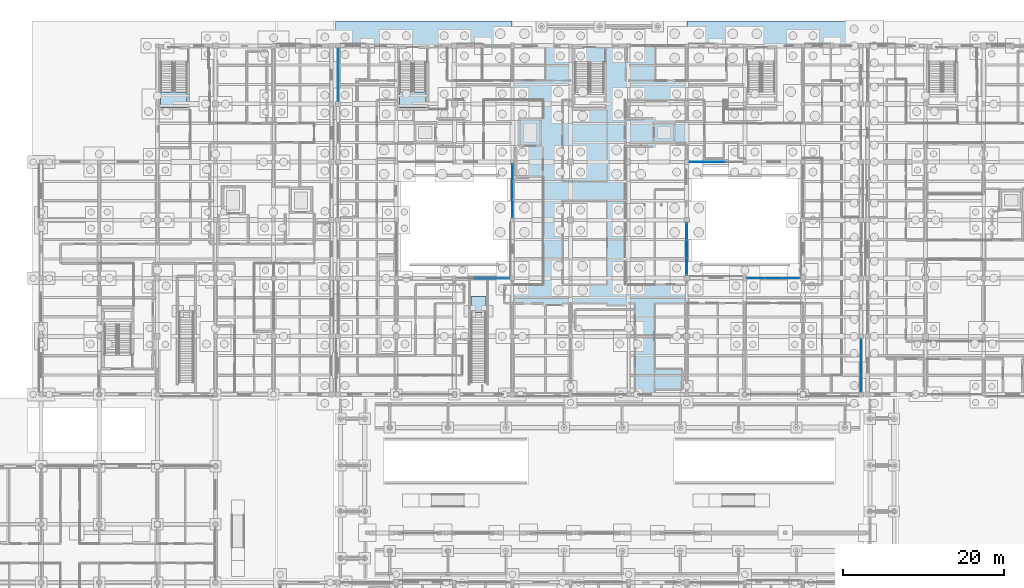
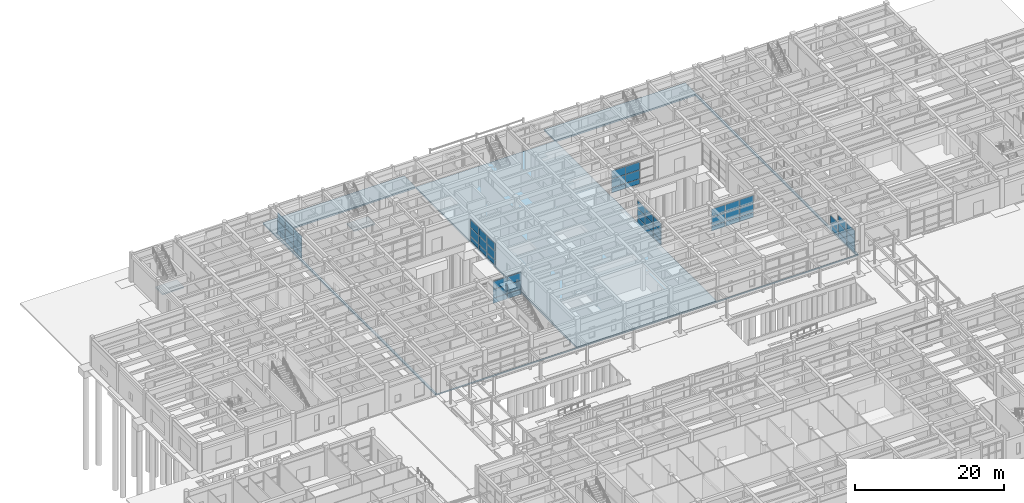
# One storey, part 84 of 143: 56 plates, 5 slabs, 10 elements without a shape of their own.
"""IFC4 building model written with IfcOpenShell, lengths in metres."""

from ifc_helpers import new_model, si_unit, direction, frame, origin, origin_2d, place, context, subcontext, project, spatial, polyline, rectangle, outline, extrude, material, layer, layer_set, type_object, element, aggregate, save


model = new_model("IFC4")

# Units and contexts
model_context = context("Model", 3, precision=1e-05, world=origin(), true_north=direction((0.0, 1.0)))
body_context = subcontext(model_context, "Body", "Model", "MODEL_VIEW")
ifc_project = project(units=[si_unit("LENGTHUNIT", "METRE"), si_unit("AREAUNIT", "SQUARE_METRE"), si_unit("VOLUMEUNIT", "CUBIC_METRE"), si_unit("PLANEANGLEUNIT", "RADIAN"), si_unit("MASSUNIT", "GRAM", prefix="KILO")], contexts=[model_context])

# Site, building, storey
site_placement = place(None, origin())
site = spatial("IfcSite", under=ifc_project, at=site_placement, CompositionType="ELEMENT")
building_placement = place(site_placement, origin())
building = spatial("IfcBuilding", under=site, at=building_placement, Name="Steenspoor Specialist Clinic", CompositionType="ELEMENT")
storey_placement = place(building_placement, origin())
storey = spatial("IfcBuildingStorey", under=building, at=storey_placement, Name="L00", CompositionType="ELEMENT", Elevation=0.0)

# Curtain wall, plates
ifc_material_1 = material(Name="Thermally broken aluminium and low-emissivity glass", Category="aluminium")
curtain_wall_type_1 = type_object("IfcCurtainWallType", Name="CW-L00-480X415", PredefinedType="USERDEFINED", material=ifc_material_1)
curtain_wall_1_placement = place(storey_placement, origin())
curtain_wall_1 = element("IfcCurtainWall", 1, at=curtain_wall_1_placement, inside=storey, type_object=curtain_wall_type_1, Name="Unitised Curtain Wall CW-V4-L00-054", ObjectType="UNITISED GLAZING", PredefinedType="USERDEFINED")
ifc_material_2 = material(Name="Double low-emissivity insulated glass", Category="glass")
ifc_layer_1 = layer(ifc_material_2, 0.035888671875)
ifc_layer_set_1 = layer_set([ifc_layer_1], Name="Double low-emissivity insulated glass")
plate_type_1 = type_object("IfcPlateType", Name="CW-PAN-GL36", PredefinedType="CURTAIN_PANEL", material=ifc_layer_set_1)
plate_1_placement = place(storey_placement, frame((74.0, 88.140869140625, 0.08984375), z_axis=(0.0, 0.0, 1.0), x_axis=(0.0, 1.0, 0.0)))
plate_1 = element("IfcPlate", 2, at=plate_1_placement, type_object=plate_type_1, Name="CW-06 panel 1.1", PredefinedType="CURTAIN_PANEL", context=body_context, shape_type="SweptSolid", body=[
    extrude(rectangle(XDim=2.12158203125, YDim=0.035888671875, at=origin_2d()), origin(), (0.0, 0.0, 1.0), 0.764892578125),
])
plate_2_placement = place(storey_placement, frame((74.0, 88.140869140625, 0.94482421875), z_axis=(0.0, 0.0, 1.0), x_axis=(0.0, 1.0, 0.0)))
plate_2 = element("IfcPlate", 3, at=plate_2_placement, type_object=plate_type_1, Name="CW-06 panel 1.2", PredefinedType="CURTAIN_PANEL", context=body_context, shape_type="SweptSolid", body=[
    extrude(rectangle(XDim=2.12158203125, YDim=0.035888671875, at=origin_2d()), origin(), (0.0, 0.0, 1.0), 1.360107421875),
])
plate_3_placement = place(storey_placement, frame((74.0, 88.140869140625, 2.39501953125), z_axis=(0.0, 0.0, 1.0), x_axis=(0.0, 1.0, 0.0)))
plate_3 = element("IfcPlate", 4, at=plate_3_placement, type_object=plate_type_1, Name="CW-06 panel 1.3", PredefinedType="CURTAIN_PANEL", context=body_context, shape_type="SweptSolid", body=[
    extrude(rectangle(XDim=2.12158203125, YDim=0.035888671875, at=origin_2d()), origin(), (0.0, 0.0, 1.0), 1.2451171875),
])
plate_4_placement = place(storey_placement, frame((74.0, 90.362548828125, 0.08984375), z_axis=(0.0, 0.0, 1.0), x_axis=(0.0, 1.0, 0.0)))
plate_4 = element("IfcPlate", 5, at=plate_4_placement, type_object=plate_type_1, Name="CW-06 panel 2.1", PredefinedType="CURTAIN_PANEL", context=body_context, shape_type="SweptSolid", body=[
    extrude(rectangle(XDim=2.16162109375, YDim=0.035888671875, at=origin_2d()), origin(), (0.0, 0.0, 1.0), 0.764892578125),
])
plate_5_placement = place(storey_placement, frame((74.0, 90.362548828125, 0.94482421875), z_axis=(0.0, 0.0, 1.0), x_axis=(0.0, 1.0, 0.0)))
plate_5 = element("IfcPlate", 6, at=plate_5_placement, type_object=plate_type_1, Name="CW-06 panel 2.2", PredefinedType="CURTAIN_PANEL", context=body_context, shape_type="SweptSolid", body=[
    extrude(rectangle(XDim=2.16162109375, YDim=0.035888671875, at=origin_2d()), origin(), (0.0, 0.0, 1.0), 1.360107421875),
])
plate_6_placement = place(storey_placement, frame((74.0, 90.362548828125, 2.39501953125), z_axis=(0.0, 0.0, 1.0), x_axis=(0.0, 1.0, 0.0)))
plate_6 = element("IfcPlate", 7, at=plate_6_placement, type_object=plate_type_1, Name="CW-06 panel 2.3", PredefinedType="CURTAIN_PANEL", context=body_context, shape_type="SweptSolid", body=[
    extrude(rectangle(XDim=2.16162109375, YDim=0.035888671875, at=origin_2d()), origin(), (0.0, 0.0, 1.0), 1.2451171875),
])
plate_7_placement = place(storey_placement, frame((74.0, 92.584228515625, 0.08984375), z_axis=(0.0, 0.0, 1.0), x_axis=(0.0, 1.0, 0.0)))
plate_7 = element("IfcPlate", 8, at=plate_7_placement, type_object=plate_type_1, Name="CW-06 panel 3.1", PredefinedType="CURTAIN_PANEL", context=body_context, shape_type="SweptSolid", body=[
    extrude(rectangle(XDim=2.12158203125, YDim=0.035888671875, at=origin_2d()), origin(), (0.0, 0.0, 1.0), 0.764892578125),
])
plate_8_placement = place(storey_placement, frame((74.0, 92.584228515625, 0.94482421875), z_axis=(0.0, 0.0, 1.0), x_axis=(0.0, 1.0, 0.0)))
plate_8 = element("IfcPlate", 9, at=plate_8_placement, type_object=plate_type_1, Name="CW-06 panel 3.2", PredefinedType="CURTAIN_PANEL", context=body_context, shape_type="SweptSolid", body=[
    extrude(rectangle(XDim=2.12158203125, YDim=0.035888671875, at=origin_2d()), origin(), (0.0, 0.0, 1.0), 1.360107421875),
])
plate_9_placement = place(storey_placement, frame((74.0, 92.584228515625, 2.39501953125), z_axis=(0.0, 0.0, 1.0), x_axis=(0.0, 1.0, 0.0)))
plate_9 = element("IfcPlate", 10, at=plate_9_placement, type_object=plate_type_1, Name="CW-06 panel 3.3", PredefinedType="CURTAIN_PANEL", context=body_context, shape_type="SweptSolid", body=[
    extrude(rectangle(XDim=2.12158203125, YDim=0.035888671875, at=origin_2d()), origin(), (0.0, 0.0, 1.0), 1.2451171875),
])
aggregate(curtain_wall_1, [plate_1, plate_2, plate_3, plate_4, plate_5, plate_6, plate_7, plate_8, plate_9])

curtain_wall_type_2 = type_object("IfcCurtainWallType", Name="CW-TYP-480X355", PredefinedType="USERDEFINED", material=ifc_material_1)
curtain_wall_2_placement = place(storey_placement, origin())
curtain_wall_2 = element("IfcCurtainWall", 11, at=curtain_wall_2_placement, inside=storey, type_object=curtain_wall_type_2, Name="Unitised Curtain Wall CW-V4-L00-060", ObjectType="UNITISED GLAZING", PredefinedType="USERDEFINED")
plate_10_placement = place(storey_placement, frame((104.174072265625, 79.550048828125, 0.080078125), z_axis=(0.0, 0.0, 1.0), x_axis=(1.0, 0.0, 0.0)))
plate_10 = element("IfcPlate", 12, at=plate_10_placement, type_object=plate_type_1, Name="CW-12 panel 1.1", PredefinedType="CURTAIN_PANEL", context=body_context, shape_type="SweptSolid", body=[
    extrude(rectangle(XDim=2.08837890625, YDim=0.035888671875, at=origin_2d()), origin(), (0.0, 0.0, 1.0), 0.780029296875),
])
plate_11_placement = place(storey_placement, frame((104.174072265625, 79.550048828125, 0.93994140625), z_axis=(0.0, 0.0, 1.0), x_axis=(1.0, 0.0, 0.0)))
plate_11 = element("IfcPlate", 13, at=plate_11_placement, type_object=plate_type_1, Name="CW-12 panel 1.2", PredefinedType="CURTAIN_PANEL", context=body_context, shape_type="SweptSolid", body=[
    extrude(rectangle(XDim=2.08837890625, YDim=0.035888671875, at=origin_2d()), origin(), (0.0, 0.0, 1.0), 1.3701171875),
])
plate_12_placement = place(storey_placement, frame((104.174072265625, 79.550048828125, 2.39013671875), z_axis=(0.0, 0.0, 1.0), x_axis=(1.0, 0.0, 0.0)))
plate_12 = element("IfcPlate", 14, at=plate_12_placement, type_object=plate_type_1, Name="CW-12 panel 1.3", PredefinedType="CURTAIN_PANEL", context=body_context, shape_type="SweptSolid", body=[
    extrude(rectangle(XDim=2.08837890625, YDim=0.035888671875, at=origin_2d()), origin(), (0.0, 0.0, 1.0), 1.260009765625),
])
plate_13_placement = place(storey_placement, frame((106.362548828125, 79.550048828125, 0.080078125), z_axis=(0.0, 0.0, 1.0), x_axis=(1.0, 0.0, 0.0)))
plate_13 = element("IfcPlate", 15, at=plate_13_placement, type_object=plate_type_1, Name="CW-12 panel 2.1", PredefinedType="CURTAIN_PANEL", context=body_context, shape_type="SweptSolid", body=[
    extrude(rectangle(XDim=2.12841796875, YDim=0.035888671875, at=origin_2d()), origin(), (0.0, 0.0, 1.0), 0.780029296875),
])
plate_14_placement = place(storey_placement, frame((106.362548828125, 79.550048828125, 0.93994140625), z_axis=(0.0, 0.0, 1.0), x_axis=(1.0, 0.0, 0.0)))
plate_14 = element("IfcPlate", 16, at=plate_14_placement, type_object=plate_type_1, Name="CW-12 panel 2.2", PredefinedType="CURTAIN_PANEL", context=body_context, shape_type="SweptSolid", body=[
    extrude(rectangle(XDim=2.12841796875, YDim=0.035888671875, at=origin_2d()), origin(), (0.0, 0.0, 1.0), 1.3701171875),
])
plate_15_placement = place(storey_placement, frame((106.362548828125, 79.550048828125, 2.39013671875), z_axis=(0.0, 0.0, 1.0), x_axis=(1.0, 0.0, 0.0)))
plate_15 = element("IfcPlate", 17, at=plate_15_placement, type_object=plate_type_1, Name="CW-12 panel 2.3", PredefinedType="CURTAIN_PANEL", context=body_context, shape_type="SweptSolid", body=[
    extrude(rectangle(XDim=2.12841796875, YDim=0.035888671875, at=origin_2d()), origin(), (0.0, 0.0, 1.0), 1.260009765625),
])
plate_16_placement = place(storey_placement, frame((108.55078125, 79.550048828125, 0.080078125), z_axis=(0.0, 0.0, 1.0), x_axis=(1.0, 0.0, 0.0)))
plate_16 = element("IfcPlate", 18, at=plate_16_placement, type_object=plate_type_1, Name="CW-12 panel 3.1", PredefinedType="CURTAIN_PANEL", context=body_context, shape_type="SweptSolid", body=[
    extrude(rectangle(XDim=2.08837890625, YDim=0.035888671875, at=origin_2d()), origin(), (0.0, 0.0, 1.0), 0.780029296875),
])
plate_17_placement = place(storey_placement, frame((108.55078125, 79.550048828125, 0.93994140625), z_axis=(0.0, 0.0, 1.0), x_axis=(1.0, 0.0, 0.0)))
plate_17 = element("IfcPlate", 19, at=plate_17_placement, type_object=plate_type_1, Name="CW-12 panel 3.2", PredefinedType="CURTAIN_PANEL", context=body_context, shape_type="SweptSolid", body=[
    extrude(rectangle(XDim=2.08837890625, YDim=0.035888671875, at=origin_2d()), origin(), (0.0, 0.0, 1.0), 1.3701171875),
])
plate_18_placement = place(storey_placement, frame((108.55078125, 79.550048828125, 2.39013671875), z_axis=(0.0, 0.0, 1.0), x_axis=(1.0, 0.0, 0.0)))
plate_18 = element("IfcPlate", 20, at=plate_18_placement, type_object=plate_type_1, Name="CW-12 panel 3.3", PredefinedType="CURTAIN_PANEL", context=body_context, shape_type="SweptSolid", body=[
    extrude(rectangle(XDim=2.08837890625, YDim=0.035888671875, at=origin_2d()), origin(), (0.0, 0.0, 1.0), 1.260009765625),
])
aggregate(curtain_wall_2, [plate_10, plate_11, plate_12, plate_13, plate_14, plate_15, plate_16, plate_17, plate_18])

curtain_wall_type_3 = type_object("IfcCurtainWallType", Name="CW-L00-660X415", PredefinedType="USERDEFINED", material=ifc_material_1)
curtain_wall_3_placement = place(storey_placement, origin())
curtain_wall_3 = element("IfcCurtainWall", 21, at=curtain_wall_3_placement, inside=storey, type_object=curtain_wall_type_3, Name="Unitised Curtain Wall CW-V4-L00-052", ObjectType="UNITISED GLAZING", PredefinedType="USERDEFINED")
ifc_material_3 = material(Name="Triple acoustic laminated low-emissivity glass", Category="glass")
ifc_layer_2 = layer(ifc_material_3, 0.048095703125)
ifc_layer_set_2 = layer_set([ifc_layer_2], Name="Triple acoustic laminated low-emissivity glass")
plate_type_2 = type_object("IfcPlateType", Name="CW-PAN-GL48", PredefinedType="CURTAIN_PANEL", material=ifc_layer_set_2)
plate_19_placement = place(storey_placement, frame((117.199951171875, 70.93505859375, 0.06494140625), z_axis=(0.0, 0.0, 1.0), x_axis=(0.0, -1.0, 0.0)))
plate_19 = element("IfcPlate", 22, at=plate_19_placement, type_object=plate_type_2, Name="CW-04 panel 1.1", PredefinedType="CURTAIN_PANEL", context=body_context, shape_type="SweptSolid", body=[
    extrude(rectangle(XDim=2.110107421875, YDim=0.048095703125, at=origin_2d()), origin(), (0.0, 0.0, 1.0), 0.802490234375),
])
plate_20_placement = place(storey_placement, frame((117.199951171875, 70.93505859375, 0.9326171875), z_axis=(0.0, 0.0, 1.0), x_axis=(0.0, -1.0, 0.0)))
plate_20 = element("IfcPlate", 23, at=plate_20_placement, type_object=plate_type_2, Name="CW-04 panel 1.2", PredefinedType="CURTAIN_PANEL", context=body_context, shape_type="SweptSolid", body=[
    extrude(rectangle(XDim=2.110107421875, YDim=0.048095703125, at=origin_2d()), origin(), (0.0, 0.0, 1.0), 1.385009765625),
])
plate_21_placement = place(storey_placement, frame((117.199951171875, 68.75, 0.06494140625), z_axis=(0.0, 0.0, 1.0), x_axis=(0.0, -1.0, 0.0)))
plate_21 = element("IfcPlate", 24, at=plate_21_placement, type_object=plate_type_2, Name="CW-04 panel 2.1", PredefinedType="CURTAIN_PANEL", context=body_context, shape_type="SweptSolid", body=[
    extrude(rectangle(XDim=2.139892578125, YDim=0.048095703125, at=origin_2d()), origin(), (0.0, 0.0, 1.0), 0.802490234375),
])
plate_22_placement = place(storey_placement, frame((117.199951171875, 68.75, 0.9326171875), z_axis=(0.0, 0.0, 1.0), x_axis=(0.0, -1.0, 0.0)))
plate_22 = element("IfcPlate", 25, at=plate_22_placement, type_object=plate_type_2, Name="CW-04 panel 2.2", PredefinedType="CURTAIN_PANEL", context=body_context, shape_type="SweptSolid", body=[
    extrude(rectangle(XDim=2.139892578125, YDim=0.048095703125, at=origin_2d()), origin(), (0.0, 0.0, 1.0), 1.385009765625),
])
plate_23_placement = place(storey_placement, frame((117.199951171875, 68.75, 2.38232421875), z_axis=(0.0, 0.0, 1.0), x_axis=(0.0, -1.0, 0.0)))
plate_23 = element("IfcPlate", 26, at=plate_23_placement, type_object=plate_type_2, Name="CW-04 panel 2.3", PredefinedType="CURTAIN_PANEL", context=body_context, shape_type="SweptSolid", body=[
    extrude(rectangle(XDim=2.139892578125, YDim=0.048095703125, at=origin_2d()), origin(), (0.0, 0.0, 1.0), 1.282470703125),
])
plate_24_placement = place(storey_placement, frame((117.199951171875, 66.56494140625, 0.06494140625), z_axis=(0.0, 0.0, 1.0), x_axis=(0.0, -1.0, 0.0)))
plate_24 = element("IfcPlate", 27, at=plate_24_placement, type_object=plate_type_2, Name="CW-04 panel 3.1", PredefinedType="CURTAIN_PANEL", context=body_context, shape_type="SweptSolid", body=[
    extrude(rectangle(XDim=2.110107421875, YDim=0.048095703125, at=origin_2d()), origin(), (0.0, 0.0, 1.0), 0.802490234375),
])
plate_25_placement = place(storey_placement, frame((117.199951171875, 66.56494140625, 0.9326171875), z_axis=(0.0, 0.0, 1.0), x_axis=(0.0, -1.0, 0.0)))
plate_25 = element("IfcPlate", 28, at=plate_25_placement, type_object=plate_type_2, Name="CW-04 panel 3.2", PredefinedType="CURTAIN_PANEL", context=body_context, shape_type="SweptSolid", body=[
    extrude(rectangle(XDim=2.110107421875, YDim=0.048095703125, at=origin_2d()), origin(), (0.0, 0.0, 1.0), 1.385009765625),
])
plate_26_placement = place(storey_placement, frame((117.199951171875, 66.56494140625, 2.38232421875), z_axis=(0.0, 0.0, 1.0), x_axis=(0.0, -1.0, 0.0)))
plate_26 = element("IfcPlate", 29, at=plate_26_placement, type_object=plate_type_2, Name="CW-04 panel 3.3", PredefinedType="CURTAIN_PANEL", context=body_context, shape_type="SweptSolid", body=[
    extrude(rectangle(XDim=2.110107421875, YDim=0.048095703125, at=origin_2d()), origin(), (0.0, 0.0, 1.0), 1.282470703125),
])
aggregate(curtain_wall_3, [plate_19, plate_20, plate_21, plate_22, plate_23, plate_24, plate_25, plate_26])

curtain_wall_type_4 = type_object("IfcCurtainWallType", Name="CW-TYP-650X355", PredefinedType="USERDEFINED", material=ifc_material_1)
curtain_wall_4_placement = place(storey_placement, origin())
curtain_wall_4 = element("IfcCurtainWall", 30, at=curtain_wall_4_placement, inside=storey, type_object=curtain_wall_type_4, Name="Unitised Curtain Wall CW-V4-L00-058", ObjectType="UNITISED GLAZING", PredefinedType="USERDEFINED")
plate_27_placement = place(storey_placement, frame((99.237548828125, 93.949951171875, 0.06005859375), z_axis=(0.0, 0.0, 1.0), x_axis=(-1.0, 0.0, 0.0)))
plate_27 = element("IfcPlate", 31, at=plate_27_placement, type_object=plate_type_2, Name="CW-10 panel 2.1", PredefinedType="CURTAIN_PANEL", context=body_context, shape_type="SweptSolid", body=[
    extrude(rectangle(XDim=2.1650390625, YDim=0.048095703125, at=origin_2d()), origin(), (0.0, 0.0, 1.0), 0.81005859375),
])
plate_28_placement = place(storey_placement, frame((99.237548828125, 93.949951171875, 0.93017578125), z_axis=(0.0, 0.0, 1.0), x_axis=(-1.0, 0.0, 0.0)))
plate_28 = element("IfcPlate", 32, at=plate_28_placement, type_object=plate_type_2, Name="CW-10 panel 2.2", PredefinedType="CURTAIN_PANEL", context=body_context, shape_type="SweptSolid", body=[
    extrude(rectangle(XDim=2.1650390625, YDim=0.048095703125, at=origin_2d()), origin(), (0.0, 0.0, 1.0), 1.389892578125),
])
plate_29_placement = place(storey_placement, frame((99.237548828125, 93.949951171875, 2.3798828125), z_axis=(0.0, 0.0, 1.0), x_axis=(-1.0, 0.0, 0.0)))
plate_29 = element("IfcPlate", 33, at=plate_29_placement, type_object=plate_type_2, Name="CW-10 panel 2.3", PredefinedType="CURTAIN_PANEL", context=body_context, shape_type="SweptSolid", body=[
    extrude(rectangle(XDim=2.1650390625, YDim=0.048095703125, at=origin_2d()), origin(), (0.0, 0.0, 1.0), 1.2900390625),
])
plate_30_placement = place(storey_placement, frame((97.027587890625, 93.949951171875, 0.06005859375), z_axis=(0.0, 0.0, 1.0), x_axis=(-1.0, 0.0, 0.0)))
plate_30 = element("IfcPlate", 34, at=plate_30_placement, type_object=plate_type_2, Name="CW-10 panel 3.1", PredefinedType="CURTAIN_PANEL", context=body_context, shape_type="SweptSolid", body=[
    extrude(rectangle(XDim=2.135009765625, YDim=0.048095703125, at=origin_2d()), origin(), (0.0, 0.0, 1.0), 0.81005859375),
])
plate_31_placement = place(storey_placement, frame((97.027587890625, 93.949951171875, 0.93017578125), z_axis=(0.0, 0.0, 1.0), x_axis=(-1.0, 0.0, 0.0)))
plate_31 = element("IfcPlate", 35, at=plate_31_placement, type_object=plate_type_2, Name="CW-10 panel 3.2", PredefinedType="CURTAIN_PANEL", context=body_context, shape_type="SweptSolid", body=[
    extrude(rectangle(XDim=2.135009765625, YDim=0.048095703125, at=origin_2d()), origin(), (0.0, 0.0, 1.0), 1.389892578125),
])
plate_32_placement = place(storey_placement, frame((97.027587890625, 93.949951171875, 2.3798828125), z_axis=(0.0, 0.0, 1.0), x_axis=(-1.0, 0.0, 0.0)))
plate_32 = element("IfcPlate", 36, at=plate_32_placement, type_object=plate_type_2, Name="CW-10 panel 3.3", PredefinedType="CURTAIN_PANEL", context=body_context, shape_type="SweptSolid", body=[
    extrude(rectangle(XDim=2.135009765625, YDim=0.048095703125, at=origin_2d()), origin(), (0.0, 0.0, 1.0), 1.2900390625),
])
aggregate(curtain_wall_4, [plate_27, plate_28, plate_29, plate_30, plate_31, plate_32])

curtain_wall_type_5 = type_object("IfcCurtainWallType", Name="CW-STR-220X355", PredefinedType="USERDEFINED", material=ifc_material_1)
curtain_wall_5_placement = place(storey_placement, origin())
curtain_wall_5 = element("IfcCurtainWall", 37, at=curtain_wall_5_placement, inside=storey, type_object=curtain_wall_type_5, Name="Unitised Curtain Wall CW-V4-L00-047", ObjectType="UNITISED GLAZING", PredefinedType="USERDEFINED")
ifc_material_4 = material(Name="Insulated glazed ceramic spandrel panel", Category="glass")
ifc_layer_3 = layer(ifc_material_4, 0.074951171875)
ifc_layer_set_3 = layer_set([ifc_layer_3], Name="Insulated glazed ceramic spandrel panel")
plate_type_3 = type_object("IfcPlateType", Name="CW-PAN-SP75", PredefinedType="CURTAIN_PANEL", material=ifc_layer_set_3)
plate_33_placement = place(storey_placement, frame((52.39990234375, 102.572509765625, 0.06494140625), z_axis=(0.0, 0.0, 1.0), x_axis=(0.0, 1.0, 0.0)))
plate_33 = element("IfcPlate", 38, at=plate_33_placement, type_object=plate_type_3, Name="CW-23 panel 1.1", PredefinedType="CURTAIN_PANEL", context=body_context, shape_type="SweptSolid", body=[
    extrude(rectangle(XDim=2.06494140625, YDim=0.074951171875, at=origin_2d()), origin(), (0.0, 0.0, 1.0), 0.802490234375),
])
plate_34_placement = place(storey_placement, frame((52.39990234375, 102.572509765625, 0.9326171875), z_axis=(0.0, 0.0, 1.0), x_axis=(0.0, 1.0, 0.0)))
plate_34 = element("IfcPlate", 39, at=plate_34_placement, type_object=plate_type_3, Name="CW-23 panel 1.2", PredefinedType="CURTAIN_PANEL", context=body_context, shape_type="SweptSolid", body=[
    extrude(rectangle(XDim=2.06494140625, YDim=0.074951171875, at=origin_2d()), origin(), (0.0, 0.0, 1.0), 1.385009765625),
])
plate_35_placement = place(storey_placement, frame((52.39990234375, 102.572509765625, 2.38232421875), z_axis=(0.0, 0.0, 1.0), x_axis=(0.0, 1.0, 0.0)))
plate_35 = element("IfcPlate", 40, at=plate_35_placement, type_object=plate_type_3, Name="CW-23 panel 1.3", PredefinedType="CURTAIN_PANEL", context=body_context, shape_type="SweptSolid", body=[
    extrude(rectangle(XDim=2.06494140625, YDim=0.074951171875, at=origin_2d()), origin(), (0.0, 0.0, 1.0), 1.282470703125),
])
plate_36_placement = place(storey_placement, frame((52.39990234375, 104.75, 0.06494140625), z_axis=(0.0, 0.0, 1.0), x_axis=(0.0, 1.0, 0.0)))
plate_36 = element("IfcPlate", 41, at=plate_36_placement, type_object=plate_type_3, Name="CW-23 panel 2.1", PredefinedType="CURTAIN_PANEL", context=body_context, shape_type="SweptSolid", body=[
    extrude(rectangle(XDim=2.110107421875, YDim=0.074951171875, at=origin_2d()), origin(), (0.0, 0.0, 1.0), 0.802490234375),
])
plate_37_placement = place(storey_placement, frame((52.39990234375, 104.75, 0.9326171875), z_axis=(0.0, 0.0, 1.0), x_axis=(0.0, 1.0, 0.0)))
plate_37 = element("IfcPlate", 42, at=plate_37_placement, type_object=plate_type_3, Name="CW-23 panel 2.2", PredefinedType="CURTAIN_PANEL", context=body_context, shape_type="SweptSolid", body=[
    extrude(rectangle(XDim=2.110107421875, YDim=0.074951171875, at=origin_2d()), origin(), (0.0, 0.0, 1.0), 1.385009765625),
])
plate_38_placement = place(storey_placement, frame((52.39990234375, 104.75, 2.38232421875), z_axis=(0.0, 0.0, 1.0), x_axis=(0.0, 1.0, 0.0)))
plate_38 = element("IfcPlate", 43, at=plate_38_placement, type_object=plate_type_3, Name="CW-23 panel 2.3", PredefinedType="CURTAIN_PANEL", context=body_context, shape_type="SweptSolid", body=[
    extrude(rectangle(XDim=2.110107421875, YDim=0.074951171875, at=origin_2d()), origin(), (0.0, 0.0, 1.0), 1.282470703125),
])
plate_39_placement = place(storey_placement, frame((52.39990234375, 106.927490234375, 0.06494140625), z_axis=(0.0, 0.0, 1.0), x_axis=(0.0, 1.0, 0.0)))
plate_39 = element("IfcPlate", 44, at=plate_39_placement, type_object=plate_type_3, Name="CW-23 panel 3.1", PredefinedType="CURTAIN_PANEL", context=body_context, shape_type="SweptSolid", body=[
    extrude(rectangle(XDim=2.06494140625, YDim=0.074951171875, at=origin_2d()), origin(), (0.0, 0.0, 1.0), 0.802490234375),
])
plate_40_placement = place(storey_placement, frame((52.39990234375, 106.927490234375, 0.9326171875), z_axis=(0.0, 0.0, 1.0), x_axis=(0.0, 1.0, 0.0)))
plate_40 = element("IfcPlate", 45, at=plate_40_placement, type_object=plate_type_3, Name="CW-23 panel 3.2", PredefinedType="CURTAIN_PANEL", context=body_context, shape_type="SweptSolid", body=[
    extrude(rectangle(XDim=2.06494140625, YDim=0.074951171875, at=origin_2d()), origin(), (0.0, 0.0, 1.0), 1.385009765625),
])
plate_41_placement = place(storey_placement, frame((52.39990234375, 106.927490234375, 2.38232421875), z_axis=(0.0, 0.0, 1.0), x_axis=(0.0, 1.0, 0.0)))
plate_41 = element("IfcPlate", 46, at=plate_41_placement, type_object=plate_type_3, Name="CW-23 panel 3.3", PredefinedType="CURTAIN_PANEL", context=body_context, shape_type="SweptSolid", body=[
    extrude(rectangle(XDim=2.06494140625, YDim=0.074951171875, at=origin_2d()), origin(), (0.0, 0.0, 1.0), 1.282470703125),
])
aggregate(curtain_wall_5, [plate_33, plate_34, plate_35, plate_36, plate_37, plate_38, plate_39, plate_40, plate_41])

curtain_wall_type_6 = type_object("IfcCurtainWallType", Name="CW-L00-650X415", PredefinedType="USERDEFINED", material=ifc_material_1)
curtain_wall_6_placement = place(storey_placement, origin())
curtain_wall_6 = element("IfcCurtainWall", 47, at=curtain_wall_6_placement, inside=storey, type_object=curtain_wall_type_6, Name="Unitised Curtain Wall CW-V4-L00-053", ObjectType="UNITISED GLAZING", PredefinedType="USERDEFINED")
plate_42_placement = place(storey_placement, frame((70.375, 79.550048828125, 0.06005859375), z_axis=(0.0, 0.0, 1.0), x_axis=(1.0, 0.0, 0.0)))
plate_42 = element("IfcPlate", 48, at=plate_42_placement, type_object=plate_type_3, Name="CW-05 panel 2.1", PredefinedType="CURTAIN_PANEL", context=body_context, shape_type="SweptSolid", body=[
    extrude(rectangle(XDim=2.143310546875, YDim=0.074951171875, at=origin_2d()), origin(), (0.0, 0.0, 1.0), 0.81005859375),
])
plate_43_placement = place(storey_placement, frame((70.375, 79.550048828125, 0.93017578125), z_axis=(0.0, 0.0, 1.0), x_axis=(1.0, 0.0, 0.0)))
plate_43 = element("IfcPlate", 49, at=plate_43_placement, type_object=plate_type_3, Name="CW-05 panel 2.2", PredefinedType="CURTAIN_PANEL", context=body_context, shape_type="SweptSolid", body=[
    extrude(rectangle(XDim=2.143310546875, YDim=0.074951171875, at=origin_2d()), origin(), (0.0, 0.0, 1.0), 1.389892578125),
])
plate_44_placement = place(storey_placement, frame((70.375, 79.550048828125, 2.3798828125), z_axis=(0.0, 0.0, 1.0), x_axis=(1.0, 0.0, 0.0)))
plate_44 = element("IfcPlate", 50, at=plate_44_placement, type_object=plate_type_3, Name="CW-05 panel 2.3", PredefinedType="CURTAIN_PANEL", context=body_context, shape_type="SweptSolid", body=[
    extrude(rectangle(XDim=2.143310546875, YDim=0.074951171875, at=origin_2d()), origin(), (0.0, 0.0, 1.0), 1.2900390625),
])
plate_45_placement = place(storey_placement, frame((72.5859375, 79.550048828125, 0.06005859375), z_axis=(0.0, 0.0, 1.0), x_axis=(1.0, 0.0, 0.0)))
plate_45 = element("IfcPlate", 51, at=plate_45_placement, type_object=plate_type_3, Name="CW-05 panel 3.1", PredefinedType="CURTAIN_PANEL", context=body_context, shape_type="SweptSolid", body=[
    extrude(rectangle(XDim=2.098388671875, YDim=0.074951171875, at=origin_2d()), origin(), (0.0, 0.0, 1.0), 0.81005859375),
])
plate_46_placement = place(storey_placement, frame((72.5859375, 79.550048828125, 0.93017578125), z_axis=(0.0, 0.0, 1.0), x_axis=(1.0, 0.0, 0.0)))
plate_46 = element("IfcPlate", 52, at=plate_46_placement, type_object=plate_type_3, Name="CW-05 panel 3.2", PredefinedType="CURTAIN_PANEL", context=body_context, shape_type="SweptSolid", body=[
    extrude(rectangle(XDim=2.098388671875, YDim=0.074951171875, at=origin_2d()), origin(), (0.0, 0.0, 1.0), 1.389892578125),
])
plate_47_placement = place(storey_placement, frame((72.5859375, 79.550048828125, 2.3798828125), z_axis=(0.0, 0.0, 1.0), x_axis=(1.0, 0.0, 0.0)))
plate_47 = element("IfcPlate", 53, at=plate_47_placement, type_object=plate_type_3, Name="CW-05 panel 3.3", PredefinedType="CURTAIN_PANEL", context=body_context, shape_type="SweptSolid", body=[
    extrude(rectangle(XDim=2.098388671875, YDim=0.074951171875, at=origin_2d()), origin(), (0.0, 0.0, 1.0), 1.2900390625),
])
aggregate(curtain_wall_6, [plate_42, plate_43, plate_44, plate_45, plate_46, plate_47])

curtain_wall_type_7 = type_object("IfcCurtainWallType", Name="CW-TYP-540X355", PredefinedType="USERDEFINED", material=ifc_material_1)
curtain_wall_7_placement = place(storey_placement, origin())
curtain_wall_7 = element("IfcCurtainWall", 54, at=curtain_wall_7_placement, inside=storey, type_object=curtain_wall_type_7, Name="Unitised Curtain Wall CW-V4-L00-059", ObjectType="UNITISED GLAZING", PredefinedType="USERDEFINED")
plate_48_placement = place(storey_placement, frame((95.60009765625, 85.31494140625, 0.08984375), z_axis=(0.0, 0.0, 1.0), x_axis=(0.0, -1.0, 0.0)))
plate_48 = element("IfcPlate", 55, at=plate_48_placement, type_object=plate_type_3, Name="CW-11 panel 1.1", PredefinedType="CURTAIN_PANEL", context=body_context, shape_type="SweptSolid", body=[
    extrude(rectangle(XDim=2.0400390625, YDim=0.074951171875, at=origin_2d()), origin(), (0.0, 0.0, 1.0), 0.764892578125),
])
plate_49_placement = place(storey_placement, frame((95.60009765625, 85.31494140625, 0.94482421875), z_axis=(0.0, 0.0, 1.0), x_axis=(0.0, -1.0, 0.0)))
plate_49 = element("IfcPlate", 56, at=plate_49_placement, type_object=plate_type_3, Name="CW-11 panel 1.2", PredefinedType="CURTAIN_PANEL", context=body_context, shape_type="SweptSolid", body=[
    extrude(rectangle(XDim=2.0400390625, YDim=0.074951171875, at=origin_2d()), origin(), (0.0, 0.0, 1.0), 1.360107421875),
])
plate_50_placement = place(storey_placement, frame((95.60009765625, 85.31494140625, 2.39501953125), z_axis=(0.0, 0.0, 1.0), x_axis=(0.0, -1.0, 0.0)))
plate_50 = element("IfcPlate", 57, at=plate_50_placement, type_object=plate_type_3, Name="CW-11 panel 1.3", PredefinedType="CURTAIN_PANEL", context=body_context, shape_type="SweptSolid", body=[
    extrude(rectangle(XDim=2.0400390625, YDim=0.074951171875, at=origin_2d()), origin(), (0.0, 0.0, 1.0), 1.2451171875),
])
plate_51_placement = place(storey_placement, frame((95.60009765625, 83.16259765625, 0.08984375), z_axis=(0.0, 0.0, 1.0), x_axis=(0.0, -1.0, 0.0)))
plate_51 = element("IfcPlate", 58, at=plate_51_placement, type_object=plate_type_3, Name="CW-11 panel 2.1", PredefinedType="CURTAIN_PANEL", context=body_context, shape_type="SweptSolid", body=[
    extrude(rectangle(XDim=2.0849609375, YDim=0.074951171875, at=origin_2d()), origin(), (0.0, 0.0, 1.0), 0.764892578125),
])
plate_52_placement = place(storey_placement, frame((95.60009765625, 83.16259765625, 0.94482421875), z_axis=(0.0, 0.0, 1.0), x_axis=(0.0, -1.0, 0.0)))
plate_52 = element("IfcPlate", 59, at=plate_52_placement, type_object=plate_type_3, Name="CW-11 panel 2.2", PredefinedType="CURTAIN_PANEL", context=body_context, shape_type="SweptSolid", body=[
    extrude(rectangle(XDim=2.0849609375, YDim=0.074951171875, at=origin_2d()), origin(), (0.0, 0.0, 1.0), 1.360107421875),
])
plate_53_placement = place(storey_placement, frame((95.60009765625, 83.16259765625, 2.39501953125), z_axis=(0.0, 0.0, 1.0), x_axis=(0.0, -1.0, 0.0)))
plate_53 = element("IfcPlate", 60, at=plate_53_placement, type_object=plate_type_3, Name="CW-11 panel 2.3", PredefinedType="CURTAIN_PANEL", context=body_context, shape_type="SweptSolid", body=[
    extrude(rectangle(XDim=2.0849609375, YDim=0.074951171875, at=origin_2d()), origin(), (0.0, 0.0, 1.0), 1.2451171875),
])
plate_54_placement = place(storey_placement, frame((95.60009765625, 81.010009765625, 0.08984375), z_axis=(0.0, 0.0, 1.0), x_axis=(0.0, -1.0, 0.0)))
plate_54 = element("IfcPlate", 61, at=plate_54_placement, type_object=plate_type_3, Name="CW-11 panel 3.1", PredefinedType="CURTAIN_PANEL", context=body_context, shape_type="SweptSolid", body=[
    extrude(rectangle(XDim=2.0400390625, YDim=0.074951171875, at=origin_2d()), origin(), (0.0, 0.0, 1.0), 0.764892578125),
])
plate_55_placement = place(storey_placement, frame((95.60009765625, 81.010009765625, 0.94482421875), z_axis=(0.0, 0.0, 1.0), x_axis=(0.0, -1.0, 0.0)))
plate_55 = element("IfcPlate", 62, at=plate_55_placement, type_object=plate_type_3, Name="CW-11 panel 3.2", PredefinedType="CURTAIN_PANEL", context=body_context, shape_type="SweptSolid", body=[
    extrude(rectangle(XDim=2.0400390625, YDim=0.074951171875, at=origin_2d()), origin(), (0.0, 0.0, 1.0), 1.360107421875),
])
plate_56_placement = place(storey_placement, frame((95.60009765625, 81.010009765625, 2.39501953125), z_axis=(0.0, 0.0, 1.0), x_axis=(0.0, -1.0, 0.0)))
plate_56 = element("IfcPlate", 63, at=plate_56_placement, type_object=plate_type_3, Name="CW-11 panel 3.3", PredefinedType="CURTAIN_PANEL", context=body_context, shape_type="SweptSolid", body=[
    extrude(rectangle(XDim=2.0400390625, YDim=0.074951171875, at=origin_2d()), origin(), (0.0, 0.0, 1.0), 1.2451171875),
])
aggregate(curtain_wall_7, [plate_48, plate_49, plate_50, plate_51, plate_52, plate_53, plate_54, plate_55, plate_56])

# Slab
ifc_material_5 = material(Name="Concrete C35/45", Category="concrete")
ifc_layer_4 = layer(ifc_material_5, 0.300048828125)
ifc_layer_set_4 = layer_set([ifc_layer_4], Name="Concrete C35/45")
slab_type_1 = type_object("IfcSlabType", Name="SL-BASE-300", PredefinedType="BASESLAB", material=ifc_layer_set_4)
slab_1_placement = place(storey_placement, frame((0.0, 0.0, -0.300048828125)))
element("IfcSlab", 64, at=slab_1_placement, inside=storey, type_object=slab_type_1, Name="Structural Slab SLAB-V4-L00-014", PredefinedType="BASESLAB", context=body_context, shape_type="SweptSolid", body=[
    extrude(outline(polyline([(74.0, 65.14990234375), (74.0, 79.550048828125), (74.0, 93.949951171875), (74.0, 108.35009765625), (95.60009765625, 108.35009765625), (95.60009765625, 93.949951171875), (95.60009765625, 79.550048828125), (95.60009765625, 65.14990234375), (74.0, 65.14990234375)])), origin(), (0.0, 0.0, 1.0), 0.300048828125),
])

# Stair, slab
stair_type_1 = type_object("IfcStairType", Name="ST-CORE-L00", PredefinedType="HALF_TURN_STAIR", material=ifc_material_5)
stair_1_placement = place(storey_placement, origin())
stair_1 = element("IfcStair", 65, at=stair_1_placement, inside=storey, type_object=stair_type_1, Name="L00 Enclosed Exit Stair ST-V4A", PredefinedType="HALF_TURN_STAIR")
ifc_layer_5 = layer(ifc_material_5, 0.199951171875)
ifc_layer_set_5 = layer_set([ifc_layer_5], Name="Concrete C35/45")
slab_type_2 = type_object("IfcSlabType", Name="SL-LAND-200", PredefinedType="LANDING", material=ifc_layer_set_5)
slab_2_placement = place(storey_placement, frame((0.0, 0.0, 2.199951171875)))
slab_2 = element("IfcSlab", 66, at=slab_2_placement, type_object=slab_type_2, Name="ST-V4A landing 1", PredefinedType="LANDING", context=body_context, shape_type="SweptSolid", body=[
    extrude(outline(polyline([(60.0, 102.64501953125), (60.0, 100.699951171875), (63.300048828125, 100.699951171875), (63.300048828125, 102.64501953125), (60.0, 102.64501953125)])), origin(), (0.0, 0.0, 1.0), 0.199951171875),
])
aggregate(stair_1, [slab_2])

stair_2_placement = place(storey_placement, origin())
stair_2 = element("IfcStair", 67, at=stair_2_placement, inside=storey, type_object=stair_type_1, Name="L00 Enclosed Exit Stair ST-V5A", PredefinedType="HALF_TURN_STAIR")
slab_3_placement = place(storey_placement, frame((0.0, 0.0, 2.199951171875)))
slab_3 = element("IfcSlab", 68, at=slab_3_placement, type_object=slab_type_2, Name="ST-V5A landing 1", PredefinedType="LANDING", context=body_context, shape_type="SweptSolid", body=[
    extrude(outline(polyline([(30.39990234375, 102.64501953125), (30.39990234375, 100.699951171875), (33.699951171875, 100.699951171875), (33.699951171875, 102.64501953125), (30.39990234375, 102.64501953125)])), origin(), (0.0, 0.0, 1.0), 0.199951171875),
])
aggregate(stair_2, [slab_3])

stair_type_2 = type_object("IfcStairType", Name="ST-FEAT-L00", PredefinedType="STRAIGHT_RUN_STAIR", material=ifc_material_5)
stair_3_placement = place(storey_placement, origin())
stair_3 = element("IfcStair", 69, at=stair_3_placement, inside=storey, type_object=stair_type_2, Name="Feature Atrium Stair ST-F02", PredefinedType="STRAIGHT_RUN_STAIR")
slab_4_placement = place(storey_placement, frame((0.0, 0.0, 4.60009765625)))
slab_4 = element("IfcSlab", 70, at=slab_4_placement, type_object=slab_type_2, Name="ST-F02 landing 1", PredefinedType="LANDING", context=body_context, shape_type="SweptSolid", body=[
    extrude(outline(polyline([(68.875, 75.300048828125), (70.72509765625, 75.300048828125), (70.72509765625, 77.300048828125), (68.875, 77.300048828125), (68.875, 75.300048828125)])), origin(), (0.0, 0.0, 1.0), 0.199951171875),
])
aggregate(stair_3, [slab_4])

# Slab
ifc_layer_6 = layer(ifc_material_5, 0.25)
ifc_layer_set_6 = layer_set([ifc_layer_6], Name="Concrete C35/45")
slab_type_3 = type_object("IfcSlabType", Name="SL-PLAZA-250", PredefinedType="BASESLAB", material=ifc_layer_set_6)
slab_5_placement = place(storey_placement, frame((0.0, 0.0, -0.25)))
element("IfcSlab", 71, at=slab_5_placement, inside=storey, type_object=slab_type_3, Name="Outdoor Campus Plaza Paving Slab PLAZA-NORTH-PERIM-02", PredefinedType="BASESLAB", context=body_context, shape_type="SweptSolid", body=[
    extrude(outline(polyline([(117.5, 111.39990234375), (117.5, 65.10009765625), (52.10009765625, 65.10009765625), (52.10009765625, 111.39990234375), (73.97998046875, 111.39990234375), (73.97998046875, 108.3701171875), (52.3798828125, 108.3701171875), (52.3798828125, 65.1298828125), (117.219970703125, 65.1298828125), (117.219970703125, 108.3701171875), (95.6201171875, 108.3701171875), (95.6201171875, 111.39990234375), (117.5, 111.39990234375)])), origin(), (0.0, 0.0, 1.0), 0.25),
])

save(model, "model.ifc")
